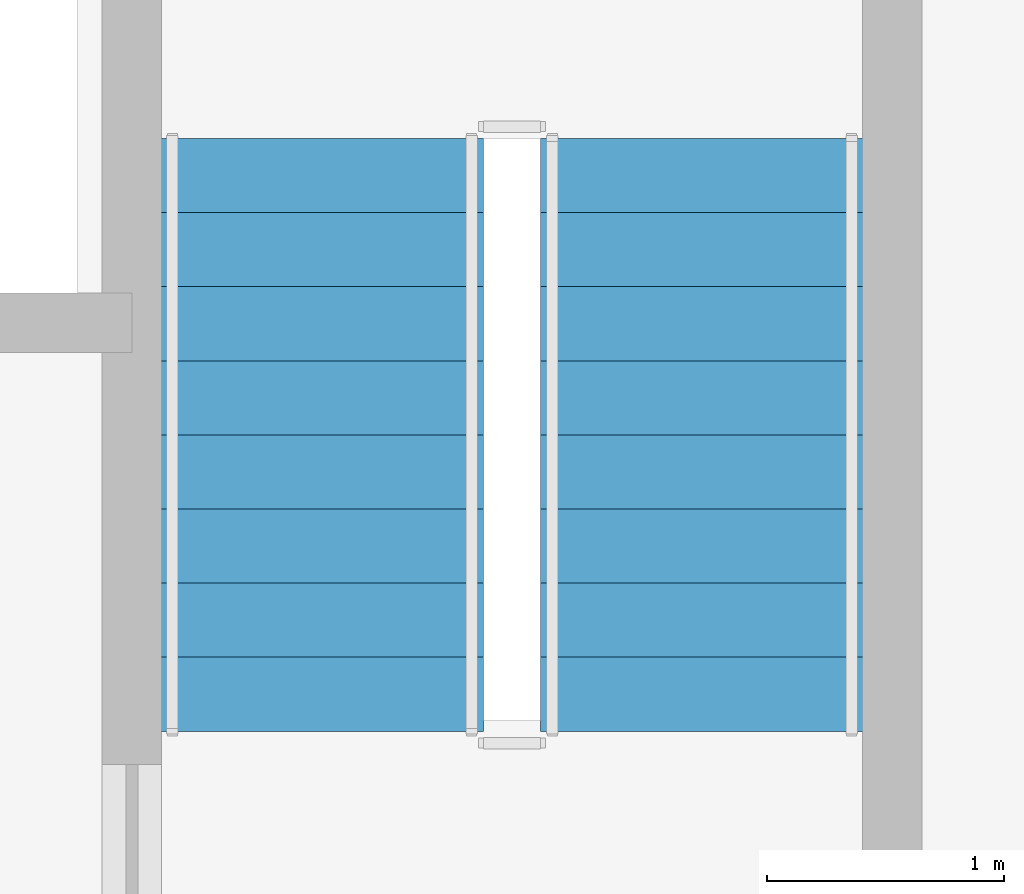
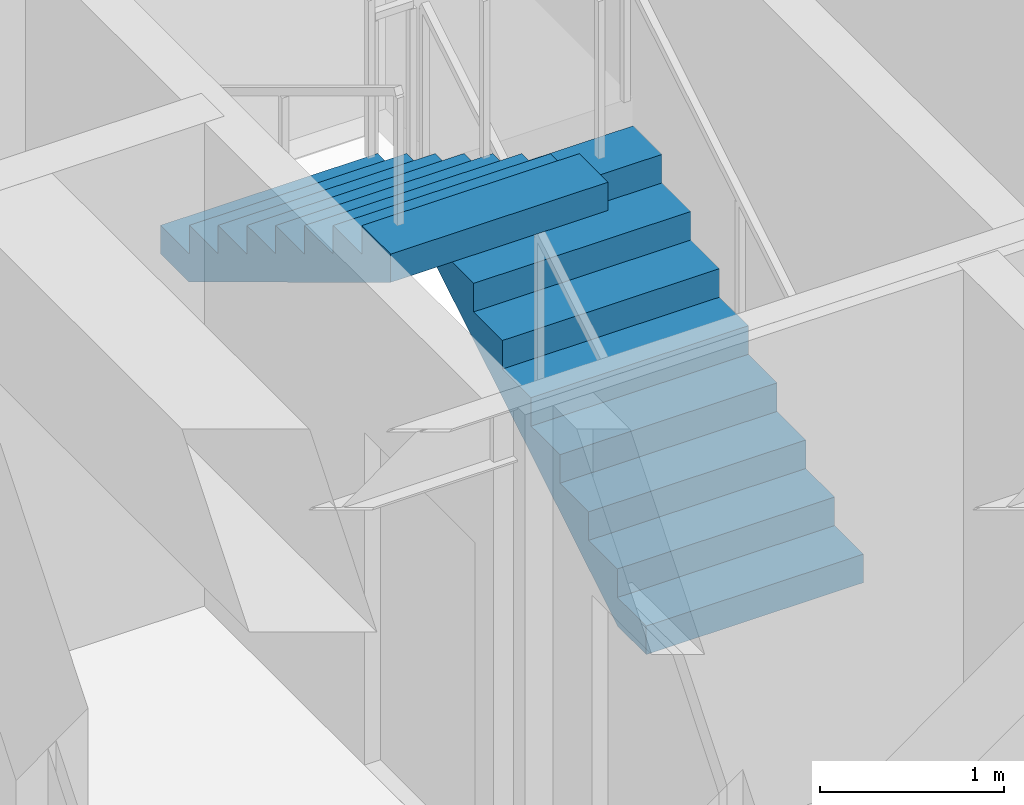
# One storey, part 11 of 14: 2 stair flights, 1 element without a shape of its own.
"""IFC4 building model written with IfcOpenShell, lengths in metres."""

from ifc_helpers import new_model, si_unit, direction, frame, origin, place, context, subcontext, project, spatial, polyline, outline, extrude, material, type_object, element, aggregate, save


model = new_model("IFC4")

# Units and contexts
model_context = context("Model", 3, precision=1e-05, world=origin(), true_north=direction((0.0, 1.0)))
body_context = subcontext(model_context, "Body", "Model", "MODEL_VIEW")
ifc_project = project(units=[si_unit("LENGTHUNIT", "METRE"), si_unit("AREAUNIT", "SQUARE_METRE"), si_unit("VOLUMEUNIT", "CUBIC_METRE"), si_unit("PLANEANGLEUNIT", "RADIAN"), si_unit("MASSUNIT", "GRAM", prefix="KILO")], contexts=[model_context])

# Site, building, storey
site_placement = place(None, origin())
site = spatial("IfcSite", under=ifc_project, at=site_placement, CompositionType="ELEMENT")
building_placement = place(site_placement, origin())
building = spatial("IfcBuilding", under=site, at=building_placement, Name="Keilestroom Media Tower", CompositionType="ELEMENT")
storey_placement = place(building_placement, frame((0.0, 0.0, 117.60009765625)))
storey = spatial("IfcBuildingStorey", under=building, at=storey_placement, Name="L31", CompositionType="ELEMENT", Elevation=117.60009765625)

# Stair, stair flights
ifc_material_1 = material(Name="Concrete C45/55", Category="concrete")
stair_type = type_object("IfcStairType", Name="Enclosed-Dog-Leg-Stair-ST-CORE", PredefinedType="HALF_TURN_STAIR", material=ifc_material_1)
stair_placement = place(storey_placement, origin())
stair = element("IfcStair", 1, at=stair_placement, inside=storey, type_object=stair_type, Name="L31 East Core Escape Stair ST-2", PredefinedType="HALF_TURN_STAIR")
ifc_material_2 = material(Name="Precast concrete C40/50", Category="concrete")
stair_flight_type = type_object("IfcStairFlightType", Name="Precast-Concrete-Stair-Flight-Core-160", PredefinedType="STRAIGHT", material=ifc_material_2)
stair_flight_1_placement = place(storey_placement, frame((10.580078125, 1.5, 0.0), z_axis=(0.0, 0.0, 1.0), x_axis=(0.0, 1.0, 0.0)))
stair_flight_1 = element("IfcStairFlight", 2, at=stair_flight_1_placement, type_object=stair_flight_type, Name="ST-2 flight 1", NumberOfRisers=9, NumberOfTreads=8, PredefinedType="STRAIGHT", RiserHeight=0.188888889, TreadLength=0.312, context=body_context, shape_type="SweptSolid", body=[
    extrude(outline(polyline([(0.0, 0.0), (0.0, 0.18896484375), (0.31201171875, 0.18896484375), (0.31201171875, 0.377685546875), (0.6240234375, 0.377685546875), (0.6240234375, 0.566650390625), (0.93603515625, 0.566650390625), (0.93603515625, 0.755615234375), (1.248046875, 0.755615234375), (1.248046875, 0.9443359375), (1.56005859375, 0.9443359375), (1.56005859375, 1.13330078125), (1.8720703125, 1.13330078125), (1.8720703125, 1.322265625), (2.18408203125, 1.322265625), (2.18408203125, 1.51123046875), (2.49609375, 1.51123046875), (2.49609375, 1.699951171875), (2.49609375, 1.32421875), (0.308837890625, 0.0), (0.0, 0.0)])), frame((0.0, 0.68017578125, 0.0), z_axis=(0.0, -1.0, 0.0), x_axis=(1.0, 0.0, 0.0)), (0.0, 0.0, 1.0), 1.360107421875),
])
stair_flight_2_placement = place(storey_placement, frame((8.97998046875, 3.99609375, 1.699951171875), z_axis=(0.0, 0.0, 1.0), x_axis=(0.0, -1.0, 0.0)))
stair_flight_2 = element("IfcStairFlight", 3, at=stair_flight_2_placement, type_object=stair_flight_type, Name="ST-2 flight 2", NumberOfRisers=9, NumberOfTreads=8, PredefinedType="STRAIGHT", RiserHeight=0.188888889, TreadLength=0.312, context=body_context, shape_type="SweptSolid", body=[
    extrude(outline(polyline([(0.0, 0.0), (0.0, 0.18896484375), (0.31201171875, 0.18896484375), (0.31201171875, 0.377685546875), (0.6240234375, 0.377685546875), (0.6240234375, 0.566650390625), (0.93603515625, 0.566650390625), (0.93603515625, 0.755615234375), (1.248046875, 0.755615234375), (1.248046875, 0.9443359375), (1.56005859375, 0.9443359375), (1.56005859375, 1.13330078125), (1.8720703125, 1.13330078125), (1.8720703125, 1.322265625), (2.18408203125, 1.322265625), (2.18408203125, 1.51123046875), (2.49609375, 1.51123046875), (2.49609375, 1.699951171875), (2.49609375, 1.32421875), (0.308837890625, 0.0), (0.0, 0.0)])), frame((0.0, 0.68017578125, 0.0), z_axis=(0.0, -1.0, 0.0), x_axis=(1.0, 0.0, 0.0)), (0.0, 0.0, 1.0), 1.360107421875),
])
aggregate(stair, [stair_flight_1, stair_flight_2])

save(model, "model.ifc")
